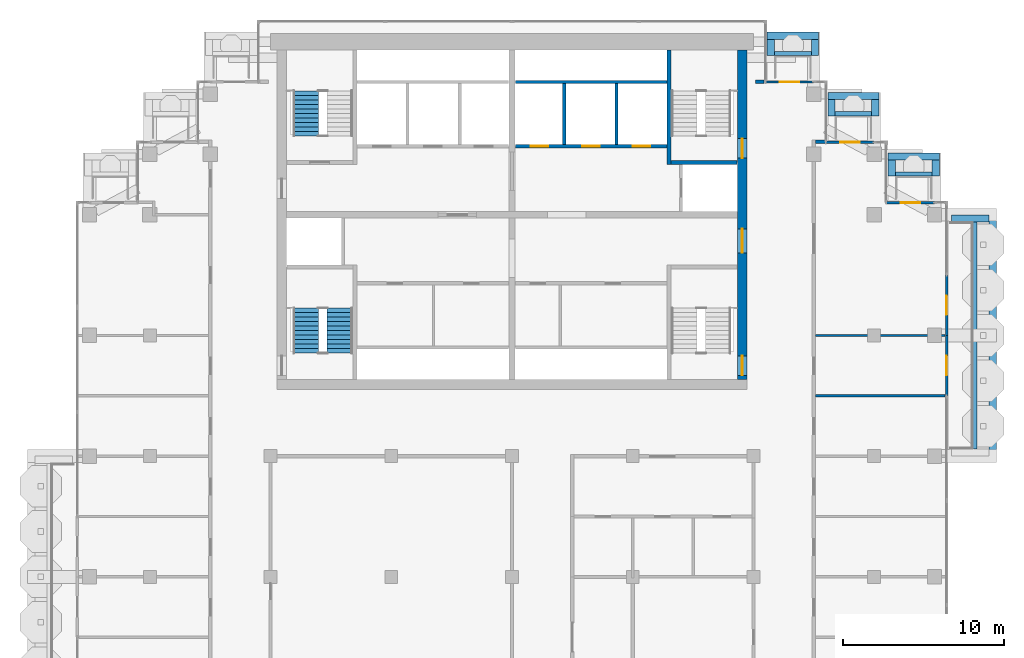
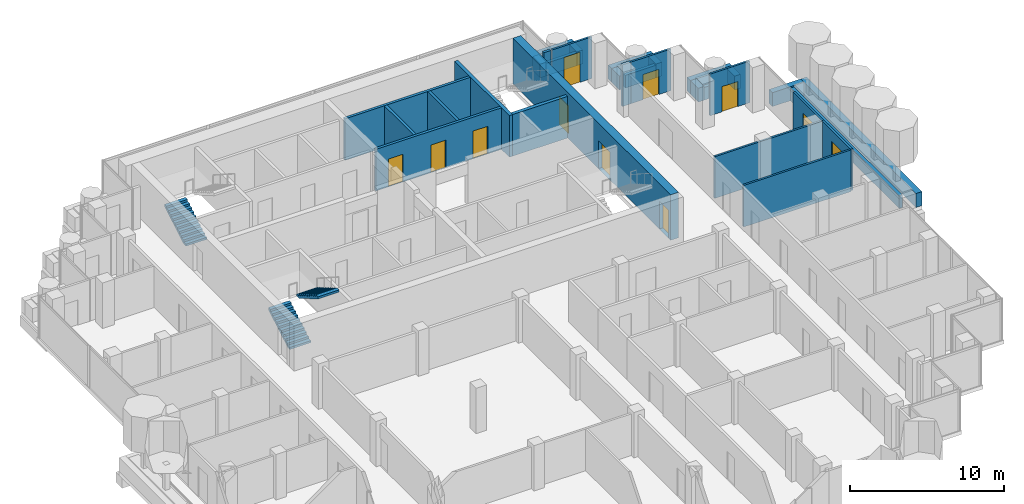
# One storey, part 14 of 19: 31 walls, 11 doors, 3 stair flights, 11 openings, 2 elements without a shape of their own.
"""IFC4 building model written with IfcOpenShell, lengths in metres."""

from ifc_helpers import new_model, si_unit, direction, frame, frame_2d, origin, place, context, subcontext, project, spatial, polyline, rectangle, outline, extrude, material, layer, layer_set, type_object, element, fill, aggregate, save


model = new_model("IFC4")

# Units and contexts
model_context = context("Model", 3, precision=1e-05, world=origin(), true_north=direction((0.0, 1.0)))
body_context = subcontext(model_context, "Body", "Model", "MODEL_VIEW")
ifc_project = project(units=[si_unit("LENGTHUNIT", "METRE"), si_unit("AREAUNIT", "SQUARE_METRE"), si_unit("VOLUMEUNIT", "CUBIC_METRE"), si_unit("PLANEANGLEUNIT", "RADIAN"), si_unit("MASSUNIT", "GRAM", prefix="KILO")], contexts=[model_context])

# Site, building, storey
site_placement = place(None, origin())
site = spatial("IfcSite", under=ifc_project, at=site_placement, CompositionType="ELEMENT")
building_placement = place(site_placement, origin())
building = spatial("IfcBuilding", under=site, at=building_placement, Name="Pilkhan Gate Tower", CompositionType="ELEMENT")
storey_placement = place(building_placement, frame((0.0, 0.0, 239.10009765625)))
storey = spatial("IfcBuildingStorey", under=building, at=storey_placement, Name="L62", CompositionType="ELEMENT", Elevation=239.10009765625)

# Walls
ifc_material_1 = material(Name="Concrete C40/50", Category="concrete")
ifc_layer_1 = layer(ifc_material_1, 0.25)
ifc_layer_set_1 = layer_set([ifc_layer_1], Name="Balcony planter BP250")
wall_type_1 = type_object("IfcWallType", Name="Balcony planter BP250", PredefinedType="USERDEFINED", material=ifc_layer_set_1)
wall_1_placement = place(storey_placement, frame((103.77490234375, 67.949951171875, 0.0), z_axis=(0.0, 0.0, 1.0), x_axis=(0.0, 1.0, 0.0)))
element("IfcWall", 1, at=wall_1_placement, inside=storey, type_object=wall_type_1, Name="Balcony planter L62 E", ObjectType="BALCONY PLANTER", PredefinedType="USERDEFINED", context=body_context, shape_type="SweptSolid", body=[
    extrude(rectangle(XDim=14.10009765625, YDim=0.25, at=frame_2d((7.050048828125, 0.0))), origin(), (0.0, 0.0, 1.0), 1.0),
])
wall_2_placement = place(storey_placement, frame((91.300048828125, 92.52490234375, 0.0), z_axis=(0.0, 0.0, 1.0), x_axis=(1.0, 0.0, 0.0)))
element("IfcWall", 2, at=wall_2_placement, inside=storey, type_object=wall_type_1, Name="Balcony planter L62 N", ObjectType="BALCONY PLANTER", PredefinedType="USERDEFINED", context=body_context, shape_type="SweptSolid", body=[
    extrude(rectangle(XDim=2.300048828125, YDim=0.25, at=frame_2d((1.14990234375, 0.0))), origin(), (0.0, 0.0, 1.0), 1.0),
])
for number, where, z_axis, x_axis, name in (
    (3, (95.070068359375, 88.77490234375, 0.0), (0.0, 0.0, 1.0), (1.0, 0.0, 0.0), "Balcony planter L62 N"),
    (4, (98.820068359375, 85.02490234375, 0.0), (0.0, 0.0, 1.0), (1.0, 0.0, 0.0), "Balcony planter L62 N"),
):
    element("IfcWall", number, at=place(storey_placement, frame(where, z_axis=z_axis, x_axis=x_axis)), inside=storey, type_object=wall_type_1, Name=name, ObjectType="BALCONY PLANTER", PredefinedType="USERDEFINED", context=body_context, shape_type="SweptSolid", body=[
        extrude(rectangle(XDim=2.280029296875, YDim=0.25, at=frame_2d((1.14013671875, 0.0))), origin(), (0.0, 0.0, 1.0), 1.0),
    ])
ifc_material_2 = material(Name="Board-marked Concrete C40/50", Category="concrete")
ifc_layer_2 = layer(ifc_material_2, 0.449951171875)
ifc_layer_set_2 = layer_set([ifc_layer_2], Name="Balcony planter lip BL450")
wall_type_2 = type_object("IfcWallType", Name="Balcony planter lip BL450", PredefinedType="USERDEFINED", material=ifc_layer_set_2)
wall_3_placement = place(storey_placement, frame((104.875, 67.5, 0.0), z_axis=(0.0, 0.0, 1.0), x_axis=(0.0, 1.0, 0.0)))
element("IfcWall", 5, at=wall_3_placement, inside=storey, type_object=wall_type_2, Name="Balcony planter L62 E", ObjectType="BALCONY PLANTER", PredefinedType="USERDEFINED", context=body_context, shape_type="SweptSolid", body=[
    extrude(rectangle(XDim=15.0, YDim=0.449951171875, at=frame_2d((7.5, 0.0))), origin(), (0.0, 0.0, 1.0), 1.099853515625),
])
wall_4_placement = place(storey_placement, frame((102.300048828125, 82.27490234375, 0.0), z_axis=(0.0, 0.0, 1.0), x_axis=(1.0, 0.0, 0.0)))
element("IfcWall", 6, at=wall_4_placement, inside=storey, type_object=wall_type_2, Name="Balcony planter L62 E", ObjectType="BALCONY PLANTER", PredefinedType="USERDEFINED", context=body_context, shape_type="SweptSolid", body=[
    extrude(rectangle(XDim=2.349853515625, YDim=0.449951171875, at=frame_2d((1.1748046875, 0.0))), origin(), (0.0, 0.0, 1.0), 1.099853515625),
])
wall_5_placement = place(storey_placement, frame((90.85009765625, 93.625, 0.0), z_axis=(0.0, 0.0, 1.0), x_axis=(1.0, 0.0, 0.0)))
element("IfcWall", 7, at=wall_5_placement, inside=storey, type_object=wall_type_2, Name="Balcony planter L62 N", ObjectType="BALCONY PLANTER", PredefinedType="USERDEFINED", context=body_context, shape_type="SweptSolid", body=[
    extrude(rectangle(XDim=3.199951171875, YDim=0.449951171875, at=frame_2d((1.60009765625, 0.0))), origin(), (0.0, 0.0, 1.0), 1.099853515625),
])
for number, where, z_axis, x_axis, name in (
    (8, (91.074951171875, 92.39990234375, 0.0), (0.0, 0.0, 1.0), (0.0, 1.0, 0.0), "Balcony planter L62 N"),
    (9, (93.824951171875, 92.39990234375, 0.0), (0.0, 0.0, 1.0), (0.0, 1.0, 0.0), "Balcony planter L62 N"),
):
    element("IfcWall", number, at=place(storey_placement, frame(where, z_axis=z_axis, x_axis=x_axis)), inside=storey, type_object=wall_type_2, Name=name, ObjectType="BALCONY PLANTER", PredefinedType="USERDEFINED", context=body_context, shape_type="SweptSolid", body=[
        extrude(rectangle(XDim=1.0, YDim=0.449951171875, at=frame_2d((0.5, 0.0))), origin(), (0.0, 0.0, 1.0), 1.099853515625),
    ])
wall_6_placement = place(storey_placement, frame((94.6201171875, 89.875, 0.0), z_axis=(0.0, 0.0, 1.0), x_axis=(1.0, 0.0, 0.0)))
element("IfcWall", 10, at=wall_6_placement, inside=storey, type_object=wall_type_2, Name="Balcony planter L62 N", ObjectType="BALCONY PLANTER", PredefinedType="USERDEFINED", context=body_context, shape_type="SweptSolid", body=[
    extrude(rectangle(XDim=3.179931640625, YDim=0.449951171875, at=frame_2d((1.58984375, 0.0))), origin(), (0.0, 0.0, 1.0), 1.099853515625),
])
for number, where, z_axis, x_axis, name in (
    (11, (94.844970703125, 88.64990234375, 0.0), (0.0, 0.0, 1.0), (0.0, 1.0, 0.0), "Balcony planter L62 N"),
    (12, (97.574951171875, 88.64990234375, 0.0), (0.0, 0.0, 1.0), (0.0, 1.0, 0.0), "Balcony planter L62 N"),
):
    element("IfcWall", number, at=place(storey_placement, frame(where, z_axis=z_axis, x_axis=x_axis)), inside=storey, type_object=wall_type_2, Name=name, ObjectType="BALCONY PLANTER", PredefinedType="USERDEFINED", context=body_context, shape_type="SweptSolid", body=[
        extrude(rectangle(XDim=1.0, YDim=0.449951171875, at=frame_2d((0.5, 0.0))), origin(), (0.0, 0.0, 1.0), 1.099853515625),
    ])
wall_7_placement = place(storey_placement, frame((98.3701171875, 86.125, 0.0), z_axis=(0.0, 0.0, 1.0), x_axis=(1.0, 0.0, 0.0)))
element("IfcWall", 13, at=wall_7_placement, inside=storey, type_object=wall_type_2, Name="Balcony planter L62 N", ObjectType="BALCONY PLANTER", PredefinedType="USERDEFINED", context=body_context, shape_type="SweptSolid", body=[
    extrude(rectangle(XDim=3.179931640625, YDim=0.449951171875, at=frame_2d((1.58984375, 0.0))), origin(), (0.0, 0.0, 1.0), 1.099853515625),
])
for number, where, z_axis, x_axis, name in (
    (14, (98.594970703125, 84.89990234375, 0.0), (0.0, 0.0, 1.0), (0.0, 1.0, 0.0), "Balcony planter L62 N"),
    (15, (101.324951171875, 84.89990234375, 0.0), (0.0, 0.0, 1.0), (0.0, 1.0, 0.0), "Balcony planter L62 N"),
):
    element("IfcWall", number, at=place(storey_placement, frame(where, z_axis=z_axis, x_axis=x_axis)), inside=storey, type_object=wall_type_2, Name=name, ObjectType="BALCONY PLANTER", PredefinedType="USERDEFINED", context=body_context, shape_type="SweptSolid", body=[
        extrude(rectangle(XDim=1.0, YDim=0.449951171875, at=frame_2d((0.5, 0.0))), origin(), (0.0, 0.0, 1.0), 1.099853515625),
    ])

# Wall, openings, doors
ifc_material_3 = material(Name="Concrete C50/60", Category="concrete")
ifc_layer_3 = layer(ifc_material_3, 0.60009765625)
ifc_layer_set_3 = layer_set([ifc_layer_3], Name="Core wall CW600 C50/60")
wall_type_3 = type_object("IfcWallType", Name="Core wall CW600 C50/60", PredefinedType="SHEAR", material=ifc_layer_set_3)
wall_8_placement = place(storey_placement, frame((89.300048828125, 72.25, 0.0), z_axis=(0.0, 0.0, 1.0), x_axis=(0.0, 1.0, 0.0)))
wall_8 = element("IfcWall", 16, at=wall_8_placement, inside=storey, type_object=wall_type_3, Name="Core wall E L62", PredefinedType="SHEAR", context=body_context, shape_type="SweptSolid", body=[
    extrude(rectangle(XDim=20.5, YDim=0.60009765625, at=frame_2d((10.25, 0.0))), origin(), (0.0, 0.0, 1.0), 3.599853515625),
])
opening_1_placement = place(wall_8_placement, frame((0.27490234375, 0.0, 0.0)))
opening_1 = element("IfcOpeningElement", 17, at=opening_1_placement, cuts=wall_8, Name="Opening L62-03", PredefinedType="OPENING", context=body_context, shape_type="SweptSolid", body=[
    extrude(rectangle(XDim=1.199951171875, YDim=2.199951171875, at=frame_2d((0.60009765625, 1.10009765625))), frame((0.0, 0.31005859375, 0.0), z_axis=(0.0, -1.0, 0.0), x_axis=(1.0, 0.0, 0.0)), (0.0, 0.0, 1.0), 0.6201171875),
])
opening_2_placement = place(wall_8_placement, frame((13.77490234375, 0.0, 0.0)))
opening_2 = element("IfcOpeningElement", 18, at=opening_2_placement, cuts=wall_8, Name="Opening L62-05", PredefinedType="OPENING", context=body_context, shape_type="SweptSolid", body=[
    extrude(rectangle(XDim=1.199951171875, YDim=2.199951171875, at=frame_2d((0.60009765625, 1.10009765625))), frame((0.0, 0.31005859375, 0.0), z_axis=(0.0, -1.0, 0.0), x_axis=(1.0, 0.0, 0.0)), (0.0, 0.0, 1.0), 0.6201171875),
])
opening_3_placement = place(wall_8_placement, frame((7.875, 0.0, 0.0)))
opening_3 = element("IfcOpeningElement", 19, at=opening_3_placement, cuts=wall_8, Name="Opening L62-06", PredefinedType="OPENING", context=body_context, shape_type="SweptSolid", body=[
    extrude(rectangle(XDim=1.5, YDim=2.199951171875, at=frame_2d((0.75, 1.10009765625))), frame((0.0, 0.31005859375, 0.0), z_axis=(0.0, -1.0, 0.0), x_axis=(1.0, 0.0, 0.0)), (0.0, 0.0, 1.0), 0.6201171875),
])
ifc_material_4 = material(Name="Steel framed glazed door, 60 minute fire resisting", Category="steel")
door_type_1 = type_object("IfcDoorType", Name="Lobby door D09 1500x2200", OperationType="DOUBLE_DOOR_SINGLE_SWING", PredefinedType="DOOR", material=ifc_material_4)
door_1_placement = place(opening_3_placement, origin())
door_1 = element("IfcDoor", 20, at=door_1_placement, inside=storey, type_object=door_type_1, Name="Core door", OperationType="DOUBLE_DOOR_SINGLE_SWING", OverallHeight=2.199951171875, OverallWidth=1.5, PredefinedType="DOOR", context=body_context, shape_type="SweptSolid", body=[
    extrude(rectangle(XDim=1.5, YDim=2.199951171875, at=frame_2d((0.75, 1.10009765625))), frame((0.0, 0.02490234375, 0.0), z_axis=(0.0, -1.0, 0.0), x_axis=(1.0, 0.0, 0.0)), (0.0, 0.0, 1.0), 0.050048828125),
])
fill(opening_3, door_1)
ifc_material_5 = material(Name="Steel door, 120 minute fire resisting, panic bar", Category="steel")
door_type_2 = type_object("IfcDoorType", Name="Stair door D11 1200x2200", OperationType="SINGLE_SWING_LEFT", PredefinedType="DOOR", material=ifc_material_5)
door_2_placement = place(opening_1_placement, origin())
door_2 = element("IfcDoor", 21, at=door_2_placement, inside=storey, type_object=door_type_2, Name="Stair ST1 door", OperationType="SINGLE_SWING_RIGHT", OverallHeight=2.199951171875, OverallWidth=1.199951171875, PredefinedType="DOOR", context=body_context, shape_type="SweptSolid", body=[
    extrude(rectangle(XDim=1.199951171875, YDim=2.199951171875, at=frame_2d((0.60009765625, 1.10009765625))), frame((0.0, 0.02490234375, 0.0), z_axis=(0.0, -1.0, 0.0), x_axis=(1.0, 0.0, 0.0)), (0.0, 0.0, 1.0), 0.050048828125),
])
fill(opening_1, door_2)
door_3_placement = place(opening_2_placement, origin())
door_3 = element("IfcDoor", 22, at=door_3_placement, inside=storey, type_object=door_type_2, Name="Stair ST4 door", OperationType="SINGLE_SWING_LEFT", OverallHeight=2.199951171875, OverallWidth=1.199951171875, PredefinedType="DOOR", context=body_context, shape_type="SweptSolid", body=[
    extrude(rectangle(XDim=1.199951171875, YDim=2.199951171875, at=frame_2d((0.60009765625, 1.10009765625))), frame((0.0, 0.02490234375, 0.0), z_axis=(0.0, -1.0, 0.0), x_axis=(1.0, 0.0, 0.0)), (0.0, 0.0, 1.0), 0.050048828125),
])
fill(opening_2, door_3)

# Walls
ifc_material_6 = material(Name="Dense blockwork", Category="masonry")
ifc_layer_4 = layer(ifc_material_6, 0.199951171875)
ifc_layer_set_4 = layer_set([ifc_layer_4], Name="Corridor wall FW200")
wall_type_4 = type_object("IfcWallType", Name="Corridor wall FW200", PredefinedType="PARTITIONING", material=ifc_layer_set_4)
wall_9_placement = place(storey_placement, frame((93.85009765625, 87.030029296875, 0.0), z_axis=(0.0, 0.0, 1.0), x_axis=(1.0, 0.0, 0.0)))
element("IfcWall", 23, at=wall_9_placement, inside=storey, type_object=wall_type_4, Name="Partition L62", PredefinedType="PARTITIONING", context=body_context, shape_type="SweptSolid", body=[
    extrude(rectangle(XDim=0.639892578125, YDim=0.199951171875, at=frame_2d((0.31982421875, 0.0))), origin(), (0.0, 0.0, 1.0), 3.2998046875),
])
wall_10_placement = place(storey_placement, frame((90.1201171875, 90.764892578125, 0.0), z_axis=(0.0, 0.0, 1.0), x_axis=(1.0, 0.0, 0.0)))
element("IfcWall", 24, at=wall_10_placement, inside=storey, type_object=wall_type_4, Name="Partition L62", PredefinedType="PARTITIONING", context=body_context, shape_type="SweptSolid", body=[
    extrude(rectangle(XDim=0.52490234375, YDim=0.199951171875, at=frame_2d((0.262451171875, 0.0))), origin(), (0.0, 0.0, 1.0), 3.2998046875),
])

# Wall, opening, door
ifc_material_7 = material(Name="Pale anodised aluminium, clear laminated glazing", Category="aluminium")
ifc_layer_5 = layer(ifc_material_7, 0.14990234375)
ifc_layer_set_5 = layer_set([ifc_layer_5], Name="Facade infill wall IW150")
wall_type_5 = type_object("IfcWallType", Name="Facade infill wall IW150", PredefinedType="SOLIDWALL", material=ifc_layer_set_5)
wall_11_placement = place(storey_placement, frame((102.0, 71.25, 0.0), z_axis=(0.0, 0.0, 1.0), x_axis=(0.0, 1.0, 0.0)))
wall_11 = element("IfcWall", 25, at=wall_11_placement, inside=storey, type_object=wall_type_5, Name="Infill wall L62 E", PredefinedType="SOLIDWALL", context=body_context, shape_type="SweptSolid", body=[
    extrude(rectangle(XDim=3.75, YDim=0.14990234375, at=frame_2d((1.875, 0.0))), origin(), (0.0, 0.0, 1.0), 3.2998046875),
])
opening_4_placement = place(wall_11_placement, frame((1.27490234375, 0.0, 0.0)))
opening_4 = element("IfcOpeningElement", 26, at=opening_4_placement, cuts=wall_11, Name="Opening D1", PredefinedType="OPENING", context=body_context, shape_type="SweptSolid", body=[
    extrude(rectangle(XDim=1.199951171875, YDim=2.39990234375, at=frame_2d((0.60009765625, 1.199951171875))), frame((0.0, 0.0849609375, 0.0), z_axis=(0.0, -1.0, 0.0), x_axis=(1.0, 0.0, 0.0)), (0.0, 0.0, 1.0), 0.169921875),
])
ifc_material_8 = material(Name="Pale anodised aluminium, clear glazing", Category="aluminium")
door_type_3 = type_object("IfcDoorType", Name="Balcony door D1 1200x2400", OperationType="SINGLE_SWING_LEFT", PredefinedType="DOOR", material=ifc_material_8)
door_4_placement = place(opening_4_placement, origin())
door_4 = element("IfcDoor", 27, at=door_4_placement, inside=storey, type_object=door_type_3, Name="Balcony door L62", OperationType="SINGLE_SWING_LEFT", OverallHeight=2.39990234375, OverallWidth=1.199951171875, PredefinedType="DOOR", context=body_context, shape_type="SweptSolid", body=[
    extrude(rectangle(XDim=1.199951171875, YDim=2.39990234375, at=frame_2d((0.60009765625, 1.199951171875))), frame((0.0, 0.02490234375, 0.0), z_axis=(0.0, -1.0, 0.0), x_axis=(1.0, 0.0, 0.0)), (0.0, 0.0, 1.0), 0.050048828125),
])
fill(opening_4, door_4)

wall_12_placement = place(storey_placement, frame((102.0, 75.0, 0.0), z_axis=(0.0, 0.0, 1.0), x_axis=(0.0, 1.0, 0.0)))
wall_12 = element("IfcWall", 28, at=wall_12_placement, inside=storey, type_object=wall_type_5, Name="Infill wall L62 E", PredefinedType="SOLIDWALL", context=body_context, shape_type="SweptSolid", body=[
    extrude(rectangle(XDim=3.75, YDim=0.14990234375, at=frame_2d((1.875, 0.0))), origin(), (0.0, 0.0, 1.0), 3.2998046875),
])
opening_5_placement = place(wall_12_placement, frame((1.27490234375, 0.0, 0.0)))
opening_5 = element("IfcOpeningElement", 29, at=opening_5_placement, cuts=wall_12, Name="Opening D1", PredefinedType="OPENING", context=body_context, shape_type="SweptSolid", body=[
    extrude(rectangle(XDim=1.199951171875, YDim=2.39990234375, at=frame_2d((0.60009765625, 1.199951171875))), frame((0.0, 0.0849609375, 0.0), z_axis=(0.0, -1.0, 0.0), x_axis=(1.0, 0.0, 0.0)), (0.0, 0.0, 1.0), 0.169921875),
])
door_5_placement = place(opening_5_placement, origin())
door_5 = element("IfcDoor", 30, at=door_5_placement, inside=storey, type_object=door_type_3, Name="Balcony door L62", OperationType="SINGLE_SWING_LEFT", OverallHeight=2.39990234375, OverallWidth=1.199951171875, PredefinedType="DOOR", context=body_context, shape_type="SweptSolid", body=[
    extrude(rectangle(XDim=1.199951171875, YDim=2.39990234375, at=frame_2d((0.60009765625, 1.199951171875))), frame((0.0, 0.02490234375, 0.0), z_axis=(0.0, -1.0, 0.0), x_axis=(1.0, 0.0, 0.0)), (0.0, 0.0, 1.0), 0.050048828125),
])
fill(opening_5, door_5)

wall_13_placement = place(storey_placement, frame((98.25, 83.25, 0.0), z_axis=(0.0, 0.0, 1.0), x_axis=(1.0, 0.0, 0.0)))
wall_13 = element("IfcWall", 31, at=wall_13_placement, inside=storey, type_object=wall_type_5, Name="Infill wall L62 N", PredefinedType="SOLIDWALL", context=body_context, shape_type="SweptSolid", body=[
    extrude(rectangle(XDim=3.0, YDim=0.14990234375, at=frame_2d((1.5, 0.0))), origin(), (0.0, 0.0, 1.0), 3.2998046875),
])
opening_6_placement = place(wall_13_placement, frame((0.89990234375, 0.0, 0.0)))
opening_6 = element("IfcOpeningElement", 32, at=opening_6_placement, cuts=wall_13, Name="Opening D1L", PredefinedType="OPENING", context=body_context, shape_type="SweptSolid", body=[
    extrude(rectangle(XDim=1.199951171875, YDim=2.0, at=frame_2d((0.60009765625, 1.0))), frame((0.0, 0.0849609375, 0.0), z_axis=(0.0, -1.0, 0.0), x_axis=(1.0, 0.0, 0.0)), (0.0, 0.0, 1.0), 0.169921875),
])
door_type_4 = type_object("IfcDoorType", Name="Balcony door D1L 1200x2000", OperationType="SINGLE_SWING_LEFT", PredefinedType="DOOR", material=ifc_material_8)
door_6_placement = place(opening_6_placement, origin())
door_6 = element("IfcDoor", 33, at=door_6_placement, inside=storey, type_object=door_type_4, Name="Balcony door L62", OperationType="SINGLE_SWING_LEFT", OverallHeight=2.0, OverallWidth=1.199951171875, PredefinedType="DOOR", context=body_context, shape_type="SweptSolid", body=[
    extrude(rectangle(XDim=1.199951171875, YDim=2.0, at=frame_2d((0.60009765625, 1.0))), frame((0.0, 0.02490234375, 0.0), z_axis=(0.0, -1.0, 0.0), x_axis=(1.0, 0.0, 0.0)), (0.0, 0.0, 1.0), 0.050048828125),
])
fill(opening_6, door_6)

wall_14_placement = place(storey_placement, frame((94.5, 87.0, 0.0), z_axis=(0.0, 0.0, 1.0), x_axis=(1.0, 0.0, 0.0)))
wall_14 = element("IfcWall", 34, at=wall_14_placement, inside=storey, type_object=wall_type_5, Name="Infill wall L62 N", PredefinedType="SOLIDWALL", context=body_context, shape_type="SweptSolid", body=[
    extrude(rectangle(XDim=3.0, YDim=0.14990234375, at=frame_2d((1.5, 0.0))), origin(), (0.0, 0.0, 1.0), 3.2998046875),
])
opening_7_placement = place(wall_14_placement, frame((0.89990234375, 0.0, 0.0)))
opening_7 = element("IfcOpeningElement", 35, at=opening_7_placement, cuts=wall_14, Name="Opening D1L", PredefinedType="OPENING", context=body_context, shape_type="SweptSolid", body=[
    extrude(rectangle(XDim=1.199951171875, YDim=2.0, at=frame_2d((0.60009765625, 1.0))), frame((0.0, 0.0849609375, 0.0), z_axis=(0.0, -1.0, 0.0), x_axis=(1.0, 0.0, 0.0)), (0.0, 0.0, 1.0), 0.169921875),
])
door_7_placement = place(opening_7_placement, origin())
door_7 = element("IfcDoor", 36, at=door_7_placement, inside=storey, type_object=door_type_4, Name="Balcony door L62", OperationType="SINGLE_SWING_LEFT", OverallHeight=2.0, OverallWidth=1.199951171875, PredefinedType="DOOR", context=body_context, shape_type="SweptSolid", body=[
    extrude(rectangle(XDim=1.199951171875, YDim=2.0, at=frame_2d((0.60009765625, 1.0))), frame((0.0, 0.02490234375, 0.0), z_axis=(0.0, -1.0, 0.0), x_axis=(1.0, 0.0, 0.0)), (0.0, 0.0, 1.0), 0.050048828125),
])
fill(opening_7, door_7)

wall_15_placement = place(storey_placement, frame((90.75, 90.75, 0.0), z_axis=(0.0, 0.0, 1.0), x_axis=(1.0, 0.0, 0.0)))
wall_15 = element("IfcWall", 37, at=wall_15_placement, inside=storey, type_object=wall_type_5, Name="Infill wall L62 N", PredefinedType="SOLIDWALL", context=body_context, shape_type="SweptSolid", body=[
    extrude(rectangle(XDim=3.0, YDim=0.14990234375, at=frame_2d((1.5, 0.0))), origin(), (0.0, 0.0, 1.0), 3.2998046875),
])
opening_8_placement = place(wall_15_placement, frame((0.89990234375, 0.0, 0.0)))
opening_8 = element("IfcOpeningElement", 38, at=opening_8_placement, cuts=wall_15, Name="Opening D1", PredefinedType="OPENING", context=body_context, shape_type="SweptSolid", body=[
    extrude(rectangle(XDim=1.199951171875, YDim=2.39990234375, at=frame_2d((0.60009765625, 1.199951171875))), frame((0.0, 0.0849609375, 0.0), z_axis=(0.0, -1.0, 0.0), x_axis=(1.0, 0.0, 0.0)), (0.0, 0.0, 1.0), 0.169921875),
])
door_8_placement = place(opening_8_placement, origin())
door_8 = element("IfcDoor", 39, at=door_8_placement, inside=storey, type_object=door_type_3, Name="Balcony door L62", OperationType="SINGLE_SWING_LEFT", OverallHeight=2.39990234375, OverallWidth=1.199951171875, PredefinedType="DOOR", context=body_context, shape_type="SweptSolid", body=[
    extrude(rectangle(XDim=1.199951171875, YDim=2.39990234375, at=frame_2d((0.60009765625, 1.199951171875))), frame((0.0, 0.02490234375, 0.0), z_axis=(0.0, -1.0, 0.0), x_axis=(1.0, 0.0, 0.0)), (0.0, 0.0, 1.0), 0.050048828125),
])
fill(opening_8, door_8)

# Walls
ifc_material_9 = material(Name="Blockwork partition, plastered both sides", Category="masonry")
ifc_layer_6 = layer(ifc_material_9, 0.14990234375)
ifc_layer_set_6 = layer_set([ifc_layer_6], Name="Partition PW150")
wall_type_6 = type_object("IfcWallType", Name="Partition PW150", PredefinedType="PARTITIONING", material=ifc_layer_set_6)
for number, where, z_axis, x_axis, name in (
    (40, (93.85009765625, 71.25, 0.0), (0.0, 0.0, 1.0), (1.0, 0.0, 0.0), "Partition L62"),
    (41, (93.85009765625, 75.0, 0.0), (0.0, 0.0, 1.0), (1.0, 0.0, 0.0), "Partition L62"),
):
    element("IfcWall", number, at=place(storey_placement, frame(where, z_axis=z_axis, x_axis=x_axis)), inside=storey, type_object=wall_type_6, Name=name, PredefinedType="PARTITIONING", context=body_context, shape_type="SweptSolid", body=[
        extrude(rectangle(XDim=8.06494140625, YDim=0.14990234375, at=frame_2d((4.032470703125, 0.0))), origin(), (0.0, 0.0, 1.0), 3.2998046875),
    ])

# Wall, openings, doors
ifc_material_10 = material(Name="Reinforced blockwork shaft wall, 120 minute fire resisting", Category="masonry")
ifc_layer_7 = layer(ifc_material_10, 0.199951171875)
ifc_layer_set_7 = layer_set([ifc_layer_7], Name="Shaft wall SW200")
wall_type_7 = type_object("IfcWallType", Name="Shaft wall SW200", PredefinedType="PARTITIONING", material=ifc_layer_set_7)
wall_16_placement = place(storey_placement, frame((75.2099609375, 86.75, 0.0), z_axis=(0.0, 0.0, 1.0), x_axis=(1.0, 0.0, 0.0)))
wall_16 = element("IfcWall", 42, at=wall_16_placement, inside=storey, type_object=wall_type_7, Name="Partition L62", PredefinedType="PARTITIONING", context=body_context, shape_type="SweptSolid", body=[
    extrude(rectangle(XDim=9.4150390625, YDim=0.199951171875, at=frame_2d((4.70751953125, 0.0))), origin(), (0.0, 0.0, 1.0), 3.2998046875),
])
opening_9_placement = place(wall_16_placement, frame((0.949951171875, 0.0, 0.0)))
opening_9 = element("IfcOpeningElement", 43, at=opening_9_placement, cuts=wall_16, Name="Opening LD", PredefinedType="OPENING", context=body_context, shape_type="SweptSolid", body=[
    extrude(rectangle(XDim=1.10009765625, YDim=2.199951171875, at=frame_2d((0.550048828125, 1.10009765625))), frame((0.0, 0.10986328125, 0.0), z_axis=(0.0, -1.0, 0.0), x_axis=(1.0, 0.0, 0.0)), (0.0, 0.0, 1.0), 0.219970703125),
])
opening_10_placement = place(wall_16_placement, frame((4.139892578125, 0.0, 0.0)))
opening_10 = element("IfcOpeningElement", 44, at=opening_10_placement, cuts=wall_16, Name="Opening LD", PredefinedType="OPENING", context=body_context, shape_type="SweptSolid", body=[
    extrude(rectangle(XDim=1.10009765625, YDim=2.199951171875, at=frame_2d((0.550048828125, 1.10009765625))), frame((0.0, 0.10986328125, 0.0), z_axis=(0.0, -1.0, 0.0), x_axis=(1.0, 0.0, 0.0)), (0.0, 0.0, 1.0), 0.219970703125),
])
opening_11_placement = place(wall_16_placement, frame((7.2900390625, 0.0, 0.0)))
opening_11 = element("IfcOpeningElement", 45, at=opening_11_placement, cuts=wall_16, Name="Opening LD", PredefinedType="OPENING", context=body_context, shape_type="SweptSolid", body=[
    extrude(rectangle(XDim=1.10009765625, YDim=2.199951171875, at=frame_2d((0.550048828125, 1.10009765625))), frame((0.0, 0.10986328125, 0.0), z_axis=(0.0, -1.0, 0.0), x_axis=(1.0, 0.0, 0.0)), (0.0, 0.0, 1.0), 0.219970703125),
])
ifc_material_11 = material(Name="Stainless steel centre-opening landing door, 120 minute fire resisting", Category="steel")
door_type_5 = type_object("IfcDoorType", Name="Lift landing door LD 1100x2200", OperationType="DOUBLE_DOOR_SLIDING", PredefinedType="DOOR", material=ifc_material_11)
door_9_placement = place(opening_9_placement, origin())
door_9 = element("IfcDoor", 46, at=door_9_placement, inside=storey, type_object=door_type_5, Name="Landing door HR1", OperationType="DOUBLE_DOOR_SLIDING", OverallHeight=2.199951171875, OverallWidth=1.10009765625, PredefinedType="DOOR", context=body_context, shape_type="SweptSolid", body=[
    extrude(rectangle(XDim=1.10009765625, YDim=2.199951171875, at=frame_2d((0.550048828125, 1.10009765625))), frame((0.0, 0.02490234375, 0.0), z_axis=(0.0, -1.0, 0.0), x_axis=(1.0, 0.0, 0.0)), (0.0, 0.0, 1.0), 0.050048828125),
])
fill(opening_9, door_9)
door_10_placement = place(opening_10_placement, origin())
door_10 = element("IfcDoor", 47, at=door_10_placement, inside=storey, type_object=door_type_5, Name="Landing door HR2", OperationType="DOUBLE_DOOR_SLIDING", OverallHeight=2.199951171875, OverallWidth=1.10009765625, PredefinedType="DOOR", context=body_context, shape_type="SweptSolid", body=[
    extrude(rectangle(XDim=1.10009765625, YDim=2.199951171875, at=frame_2d((0.550048828125, 1.10009765625))), frame((0.0, 0.02490234375, 0.0), z_axis=(0.0, -1.0, 0.0), x_axis=(1.0, 0.0, 0.0)), (0.0, 0.0, 1.0), 0.050048828125),
])
fill(opening_10, door_10)
door_11_placement = place(opening_11_placement, origin())
door_11 = element("IfcDoor", 48, at=door_11_placement, inside=storey, type_object=door_type_5, Name="Landing door HR3", OperationType="DOUBLE_DOOR_SLIDING", OverallHeight=2.199951171875, OverallWidth=1.10009765625, PredefinedType="DOOR", context=body_context, shape_type="SweptSolid", body=[
    extrude(rectangle(XDim=1.10009765625, YDim=2.199951171875, at=frame_2d((0.550048828125, 1.10009765625))), frame((0.0, 0.02490234375, 0.0), z_axis=(0.0, -1.0, 0.0), x_axis=(1.0, 0.0, 0.0)), (0.0, 0.0, 1.0), 0.050048828125),
])
fill(opening_11, door_11)

# Walls
wall_17_placement = place(storey_placement, frame((75.2099609375, 90.75, 0.0), z_axis=(0.0, 0.0, 1.0), x_axis=(1.0, 0.0, 0.0)))
element("IfcWall", 49, at=wall_17_placement, inside=storey, type_object=wall_type_7, Name="Partition L62", PredefinedType="PARTITIONING", context=body_context, shape_type="SweptSolid", body=[
    extrude(rectangle(XDim=9.4150390625, YDim=0.199951171875, at=frame_2d((4.70751953125, 0.0))), origin(), (0.0, 0.0, 1.0), 3.2998046875),
])
for number, where, z_axis, x_axis, name in (
    (50, (78.25, 86.85009765625, 0.0), (0.0, 0.0, 1.0), (0.0, 1.0, 0.0), "Partition L62"),
    (51, (81.5, 86.85009765625, 0.0), (0.0, 0.0, 1.0), (0.0, 1.0, 0.0), "Partition L62"),
):
    element("IfcWall", number, at=place(storey_placement, frame(where, z_axis=z_axis, x_axis=x_axis)), inside=storey, type_object=wall_type_7, Name=name, PredefinedType="PARTITIONING", context=body_context, shape_type="SweptSolid", body=[
        extrude(rectangle(XDim=3.7998046875, YDim=0.199951171875, at=frame_2d((1.89990234375, 0.0))), origin(), (0.0, 0.0, 1.0), 3.2998046875),
    ])
ifc_material_12 = material(Name="Reinforced blockwork, 120 minute fire resisting", Category="masonry")
ifc_layer_8 = layer(ifc_material_12, 0.25)
ifc_layer_set_8 = layer_set([ifc_layer_8], Name="Stair enclosure wall SE250")
wall_type_8 = type_object("IfcWallType", Name="Stair enclosure wall SE250", PredefinedType="PARTITIONING", material=ifc_layer_set_8)
wall_18_placement = place(storey_placement, frame((84.875, 85.75, 0.0), z_axis=(0.0, 0.0, 1.0), x_axis=(1.0, 0.0, 0.0)))
element("IfcWall", 52, at=wall_18_placement, inside=storey, type_object=wall_type_8, Name="Partition L62", PredefinedType="PARTITIONING", context=body_context, shape_type="SweptSolid", body=[
    extrude(rectangle(XDim=4.114990234375, YDim=0.25, at=frame_2d((2.0576171875, 0.0))), origin(), (0.0, 0.0, 1.0), 3.2998046875),
])
wall_19_placement = place(storey_placement, frame((84.75, 85.625, 0.0), z_axis=(0.0, 0.0, 1.0), x_axis=(0.0, 1.0, 0.0)))
element("IfcWall", 53, at=wall_19_placement, inside=storey, type_object=wall_type_8, Name="Partition L62", PredefinedType="PARTITIONING", context=body_context, shape_type="SweptSolid", body=[
    extrude(rectangle(XDim=7.114990234375, YDim=0.25, at=frame_2d((3.5576171875, 0.0))), origin(), (0.0, 0.0, 1.0), 3.2998046875),
])

# Stair, stair flights
ifc_material_13 = material(Name="Concrete C40/50 precast", Category="concrete")
stair_type_1 = type_object("IfcStairType", Name="Stair ST2 164x280", PredefinedType="HALF_TURN_STAIR", material=ifc_material_13)
stair_1_placement = place(storey_placement, origin())
stair_1 = element("IfcStair", 54, at=stair_1_placement, inside=storey, type_object=stair_type_1, Name="Stair ST2 L62", PredefinedType="HALF_TURN_STAIR")
stair_flight_type_1 = type_object("IfcStairFlightType", Name="Stair flight ST2 164x280x11", PredefinedType="STRAIGHT", material=ifc_material_13)
stair_flight_1_placement = place(storey_placement, frame((62.18994140625, 73.89990234375, 0.0), z_axis=(0.0, 0.0, 1.0), x_axis=(0.0, 1.0, 0.0)))
stair_flight_1 = element("IfcStairFlight", 55, at=stair_flight_1_placement, type_object=stair_flight_type_1, Name="ST2 flight 1", NumberOfRisers=11, NumberOfTreads=10, PredefinedType="STRAIGHT", RiserHeight=0.163636364, TreadLength=0.28, context=body_context, shape_type="SweptSolid", body=[
    extrude(outline(polyline([(0.0, 0.0), (0.0, 0.16357421875), (0.280029296875, 0.16357421875), (0.280029296875, 0.327392578125), (0.56005859375, 0.327392578125), (0.56005859375, 0.490966796875), (0.840087890625, 0.490966796875), (0.840087890625, 0.654541015625), (1.1201171875, 0.654541015625), (1.1201171875, 0.818115234375), (1.39990234375, 0.818115234375), (1.39990234375, 0.98193359375), (1.679931640625, 0.98193359375), (1.679931640625, 1.1455078125), (1.9599609375, 1.1455078125), (1.9599609375, 1.30908203125), (2.239990234375, 1.30908203125), (2.239990234375, 1.47265625), (2.52001953125, 1.47265625), (2.52001953125, 1.636474609375), (2.800048828125, 1.636474609375), (2.800048828125, 1.800048828125), (2.800048828125, 1.462646484375), (0.297119140625, 0.0), (0.0, 0.0)])), frame((0.0, 0.7900390625, 0.0), z_axis=(0.0, -1.0, 0.0), x_axis=(1.0, 0.0, 0.0)), (0.0, 0.0, 1.0), 1.580078125),
])
stair_flight_2_placement = place(storey_placement, frame((64.31005859375, 76.699951171875, 1.7998046875), z_axis=(0.0, 0.0, 1.0), x_axis=(0.0, -1.0, 0.0)))
stair_flight_2 = element("IfcStairFlight", 56, at=stair_flight_2_placement, type_object=stair_flight_type_1, Name="ST2 flight 2", NumberOfRisers=11, NumberOfTreads=10, PredefinedType="STRAIGHT", RiserHeight=0.163636364, TreadLength=0.28, context=body_context, shape_type="SweptSolid", body=[
    extrude(outline(polyline([(0.0, 0.0), (0.0, 0.16357421875), (0.280029296875, 0.16357421875), (0.280029296875, 0.327392578125), (0.56005859375, 0.327392578125), (0.56005859375, 0.490966796875), (0.840087890625, 0.490966796875), (0.840087890625, 0.654541015625), (1.1201171875, 0.654541015625), (1.1201171875, 0.818115234375), (1.39990234375, 0.818115234375), (1.39990234375, 0.98193359375), (1.679931640625, 0.98193359375), (1.679931640625, 1.1455078125), (1.9599609375, 1.1455078125), (1.9599609375, 1.30908203125), (2.239990234375, 1.30908203125), (2.239990234375, 1.47265625), (2.52001953125, 1.47265625), (2.52001953125, 1.636474609375), (2.800048828125, 1.636474609375), (2.800048828125, 1.800048828125), (2.800048828125, 1.462646484375), (0.297119140625, 0.0), (0.0, 0.0)])), frame((0.0, 0.7900390625, 0.0), z_axis=(0.0, -1.0, 0.0), x_axis=(1.0, 0.0, 0.0)), (0.0, 0.0, 1.0), 1.580078125),
])
aggregate(stair_1, [stair_flight_1, stair_flight_2])

# Stair, stair flight
stair_type_2 = type_object("IfcStairType", Name="Stair ST3 164x280", PredefinedType="HALF_TURN_STAIR", material=ifc_material_13)
stair_2_placement = place(storey_placement, origin())
stair_2 = element("IfcStair", 57, at=stair_2_placement, inside=storey, type_object=stair_type_2, Name="Stair ST3 L62", PredefinedType="HALF_TURN_STAIR")
stair_flight_type_2 = type_object("IfcStairFlightType", Name="Stair flight ST3 164x280x11", PredefinedType="STRAIGHT", material=ifc_material_13)
stair_flight_3_placement = place(storey_placement, frame((62.18994140625, 87.39990234375, 0.0), z_axis=(0.0, 0.0, 1.0), x_axis=(0.0, 1.0, 0.0)))
stair_flight_3 = element("IfcStairFlight", 58, at=stair_flight_3_placement, type_object=stair_flight_type_2, Name="ST3 flight 1", NumberOfRisers=11, NumberOfTreads=10, PredefinedType="STRAIGHT", RiserHeight=0.163636364, TreadLength=0.28, context=body_context, shape_type="SweptSolid", body=[
    extrude(outline(polyline([(0.0, 0.0), (0.0, 0.16357421875), (0.280029296875, 0.16357421875), (0.280029296875, 0.327392578125), (0.56005859375, 0.327392578125), (0.56005859375, 0.490966796875), (0.840087890625, 0.490966796875), (0.840087890625, 0.654541015625), (1.1201171875, 0.654541015625), (1.1201171875, 0.818115234375), (1.39990234375, 0.818115234375), (1.39990234375, 0.98193359375), (1.679931640625, 0.98193359375), (1.679931640625, 1.1455078125), (1.9599609375, 1.1455078125), (1.9599609375, 1.30908203125), (2.239990234375, 1.30908203125), (2.239990234375, 1.47265625), (2.52001953125, 1.47265625), (2.52001953125, 1.636474609375), (2.800048828125, 1.636474609375), (2.800048828125, 1.800048828125), (2.800048828125, 1.462646484375), (0.297119140625, 0.0), (0.0, 0.0)])), frame((0.0, 0.7900390625, 0.0), z_axis=(0.0, -1.0, 0.0), x_axis=(1.0, 0.0, 0.0)), (0.0, 0.0, 1.0), 1.580078125),
])
aggregate(stair_2, [stair_flight_3])

save(model, "model.ifc")
